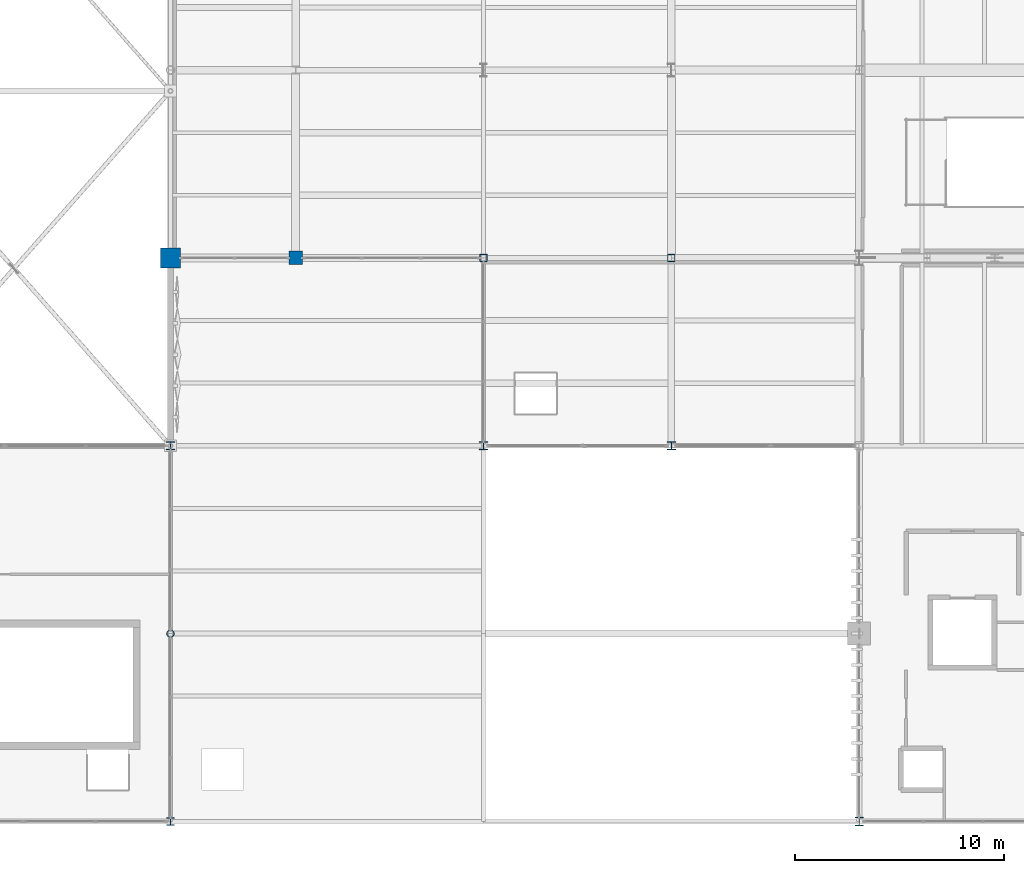
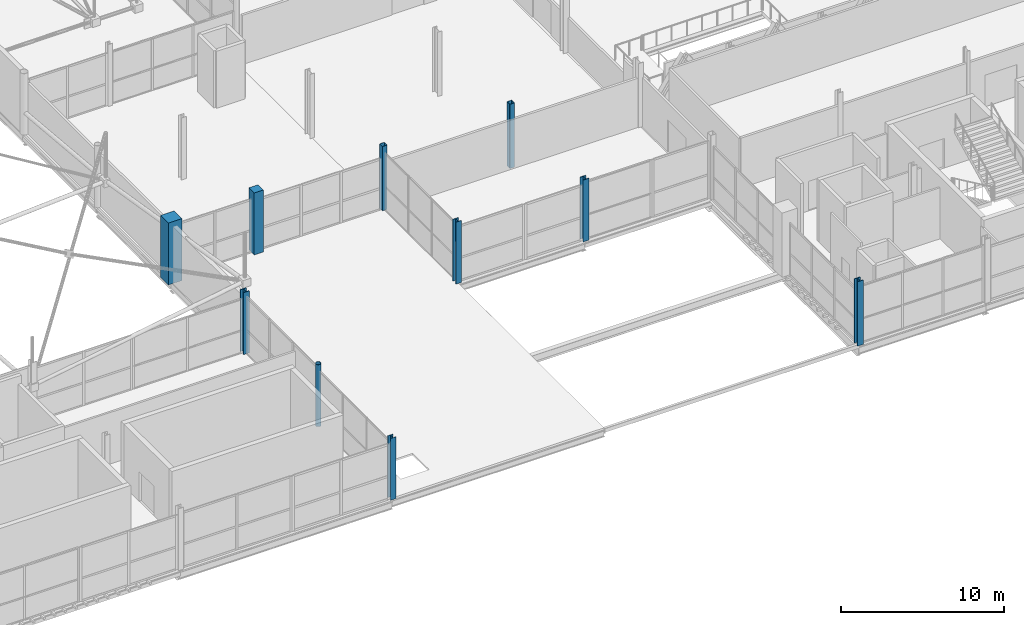
# One storey, part 8 of 224: 10 columns.
"""IFC4 building model written with IfcOpenShell, lengths in metres."""

from ifc_helpers import new_model, si_unit, direction, frame, origin, origin_2d, place, context, subcontext, project, spatial, rectangle, hollow_rectangle, hollow_circle, i_section, extrude, material, material_profile, profile_set, type_object, element, save


model = new_model("IFC4")

# Units and contexts
model_context = context("Model", 3, precision=1e-05, world=origin(), true_north=direction((0.0, 1.0)))
body_context = subcontext(model_context, "Body", "Model", "MODEL_VIEW")
ifc_project = project(units=[si_unit("LENGTHUNIT", "METRE"), si_unit("AREAUNIT", "SQUARE_METRE"), si_unit("VOLUMEUNIT", "CUBIC_METRE"), si_unit("PLANEANGLEUNIT", "RADIAN"), si_unit("MASSUNIT", "GRAM", prefix="KILO")], contexts=[model_context])

# Site, building, storey
site_placement = place(None, origin())
site = spatial("IfcSite", under=ifc_project, at=site_placement, CompositionType="ELEMENT")
building_placement = place(site_placement, origin())
building = spatial("IfcBuilding", under=site, at=building_placement, Name="Qamarlyn Nura Convention Centre", CompositionType="ELEMENT")
storey_placement = place(building_placement, frame((0.0, 0.0, 10.800048828125)))
storey = spatial("IfcBuildingStorey", under=building, at=storey_placement, Name="L02", CompositionType="ELEMENT", Elevation=10.800048828125)

# Columns
ifc_material_1 = material(Name="Concrete C50/60", Category="concrete")
ifc_material_profile_1 = material_profile(ifc_material_1, rectangle(XDim=0.949951171875, YDim=0.949951171875, at=origin_2d()), Name="RC 950x950")
ifc_profile_set_1 = profile_set([ifc_material_profile_1], Name="Concrete C50/60")
column_type_1 = type_object("IfcColumnType", Name="COL-HALL-2", PredefinedType="COLUMN", material=ifc_profile_set_1)
column_1_placement = place(storey_placement, frame((120.0, 27.0, 0.0), z_axis=(0.0, 0.0, 1.0), x_axis=(1.0, 0.0, 0.0)))
element("IfcColumn", 1, at=column_1_placement, inside=storey, type_object=column_type_1, Name="L02 column 9/D", PredefinedType="COLUMN", context=body_context, shape_type="SweptSolid", body=[
    extrude(rectangle(XDim=0.949951171875, YDim=0.949951171875, at=origin_2d()), origin(), (0.0, 0.0, 1.0), 4.625),
])
ifc_material_2 = material(Name="Steel ASTM A500 Grade C", Category="steel")
ifc_material_profile_2 = material_profile(ifc_material_2, hollow_rectangle(XDim=0.35009765625, YDim=0.35009765625, WallThickness=0.012451171875, InnerFilletRadius=0.012451171875, OuterFilletRadius=0.02490234375, at=origin_2d()), Name="HSS350X350X12.5")
ifc_profile_set_2 = profile_set([ifc_material_profile_2], Name="Steel ASTM A500 Grade C")
column_type_2 = type_object("IfcColumnType", Name="COL-HSS-2", PredefinedType="COLUMN", material=ifc_profile_set_2)
for number, where, z_axis, x_axis, name in (
    (2, (135.0, 27.0, 0.0), (0.0, 0.0, 1.0), (1.0, 0.0, 0.0), "L02 column 11/D"),
    (3, (144.0, 27.0, 0.0), (0.0, 0.0, 1.0), (1.0, 0.0, 0.0), "L02 column 12/D"),
):
    element("IfcColumn", number, at=place(storey_placement, frame(where, z_axis=z_axis, x_axis=x_axis)), inside=storey, type_object=column_type_2, Name=name, PredefinedType="COLUMN", context=body_context, shape_type="SweptSolid", body=[
        extrude(hollow_rectangle(XDim=0.35009765625, YDim=0.35009765625, WallThickness=0.012451171875, InnerFilletRadius=0.012451171875, OuterFilletRadius=0.02490234375, at=origin_2d()), origin(), (0.0, 0.0, 1.0), 4.800048828125),
    ])
ifc_material_3 = material(Name="Steel ASTM A992", Category="steel")
ifc_material_profile_3 = material_profile(ifc_material_3, i_section(OverallWidth=0.408935546875, OverallDepth=0.425048828125, WebThickness=0.030517578125, FlangeThickness=0.049072265625, FilletRadius=0.02001953125, at=origin_2d()), Name="W360X421")
ifc_profile_set_3 = profile_set([ifc_material_profile_3], Name="Steel ASTM A992")
column_type_3 = type_object("IfcColumnType", Name="COL-MEGA-1", PredefinedType="COLUMN", material=ifc_profile_set_3)
column_2_placement = place(storey_placement, frame((120.0, 18.0, 0.0), z_axis=(0.0, 0.0, 1.0), x_axis=(1.0, 0.0, 0.0)))
element("IfcColumn", 4, at=column_2_placement, inside=storey, type_object=column_type_3, Name="L02 column 9/C", PredefinedType="COLUMN", context=body_context, shape_type="SweptSolid", body=[
    extrude(i_section(OverallWidth=0.408935546875, OverallDepth=0.425048828125, WebThickness=0.030517578125, FlangeThickness=0.049072265625, FilletRadius=0.02001953125, at=origin_2d()), origin(), (0.0, 0.0, 1.0), 4.625),
])
column_3_placement = place(storey_placement, frame((153.0, 0.0, 0.0), z_axis=(0.0, 0.0, 1.0), x_axis=(1.0, 0.0, 0.0)))
element("IfcColumn", 5, at=column_3_placement, inside=storey, type_object=column_type_3, Name="L02 column 13/A", PredefinedType="COLUMN", context=body_context, shape_type="SweptSolid", body=[
    extrude(i_section(OverallWidth=0.408935546875, OverallDepth=0.425048828125, WebThickness=0.030517578125, FlangeThickness=0.049072265625, FilletRadius=0.02001953125, at=origin_2d()), origin(), (0.0, 0.0, 1.0), 4.800048828125),
])
ifc_material_profile_4 = material_profile(ifc_material_1, rectangle(XDim=0.64990234375, YDim=0.64990234375, at=origin_2d()), Name="RC 650x650")
ifc_profile_set_4 = profile_set([ifc_material_profile_4], Name="Concrete C50/60")
column_type_4 = type_object("IfcColumnType", Name="COL-SUB-3", PredefinedType="COLUMN", material=ifc_profile_set_4)
column_4_placement = place(storey_placement, frame((126.0, 27.0, 0.0), z_axis=(0.0, 0.0, 1.0), x_axis=(1.0, 0.0, 0.0)))
element("IfcColumn", 6, at=column_4_placement, inside=storey, type_object=column_type_4, Name="L02 column 10/D", PredefinedType="COLUMN", context=body_context, shape_type="SweptSolid", body=[
    extrude(rectangle(XDim=0.64990234375, YDim=0.64990234375, at=origin_2d()), origin(), (0.0, 0.0, 1.0), 4.625),
])
ifc_material_4 = material(Name="Pearl-white PVDF steel ASTM A500 Grade C", Category="steel")
ifc_material_profile_5 = material_profile(ifc_material_4, hollow_circle(Radius=0.177734375, WallThickness=0.01611328125, at=origin_2d()), Name="CHS355.6X16")
ifc_profile_set_5 = profile_set([ifc_material_profile_5], Name="Pearl-white PVDF steel ASTM A500 Grade C")
column_type_5 = type_object("IfcColumnType", Name="COL-TUBE-2", PredefinedType="COLUMN", material=ifc_profile_set_5)
column_5_placement = place(storey_placement, frame((120.0, 9.0, 0.0), z_axis=(0.0, 0.0, 1.0), x_axis=(1.0, 0.0, 0.0)))
element("IfcColumn", 7, at=column_5_placement, inside=storey, type_object=column_type_5, Name="L02 column 9/B", PredefinedType="COLUMN", context=body_context, shape_type="SweptSolid", body=[
    extrude(hollow_circle(Radius=0.177734375, WallThickness=0.01611328125, at=origin_2d()), origin(), (0.0, 0.0, 1.0), 4.625),
])
ifc_material_profile_6 = material_profile(ifc_material_3, i_section(OverallWidth=0.39892578125, OverallDepth=0.39306640625, WebThickness=0.022705078125, FlangeThickness=0.03662109375, FilletRadius=0.01806640625, at=origin_2d()), Name="W360X287")
ifc_profile_set_6 = profile_set([ifc_material_profile_6], Name="Steel ASTM A992")
column_type_6 = type_object("IfcColumnType", Name="COL-WING-1", PredefinedType="COLUMN", material=ifc_profile_set_6)
for number, where, z_axis, x_axis, name in (
    (8, (135.0, 18.0, 0.0), (0.0, 0.0, 1.0), (1.0, 0.0, 0.0), "L02 column 11/C"),
    (9, (144.0, 18.0, 0.0), (0.0, 0.0, 1.0), (1.0, 0.0, 0.0), "L02 column 12/C"),
):
    element("IfcColumn", number, at=place(storey_placement, frame(where, z_axis=z_axis, x_axis=x_axis)), inside=storey, type_object=column_type_6, Name=name, PredefinedType="COLUMN", context=body_context, shape_type="SweptSolid", body=[
        extrude(i_section(OverallWidth=0.39892578125, OverallDepth=0.39306640625, WebThickness=0.022705078125, FlangeThickness=0.03662109375, FilletRadius=0.01806640625, at=origin_2d()), origin(), (0.0, 0.0, 1.0), 4.625),
    ])
ifc_material_profile_7 = material_profile(ifc_material_3, i_section(OverallWidth=0.368896484375, OverallDepth=0.35595703125, WebThickness=0.01123046875, FlangeThickness=0.01806640625, FilletRadius=0.014892578125, at=origin_2d()), Name="W360X134")
ifc_profile_set_7 = profile_set([ifc_material_profile_7], Name="Steel ASTM A992")
column_type_7 = type_object("IfcColumnType", Name="COL-WING-3", PredefinedType="COLUMN", material=ifc_profile_set_7)
column_6_placement = place(storey_placement, frame((120.0, 0.0, 0.0), z_axis=(0.0, 0.0, 1.0), x_axis=(1.0, 0.0, 0.0)))
element("IfcColumn", 10, at=column_6_placement, inside=storey, type_object=column_type_7, Name="L02 column 9/A", PredefinedType="COLUMN", context=body_context, shape_type="SweptSolid", body=[
    extrude(i_section(OverallWidth=0.368896484375, OverallDepth=0.35595703125, WebThickness=0.01123046875, FlangeThickness=0.01806640625, FilletRadius=0.014892578125, at=origin_2d()), origin(), (0.0, 0.0, 1.0), 4.625),
])

save(model, "model.ifc")
